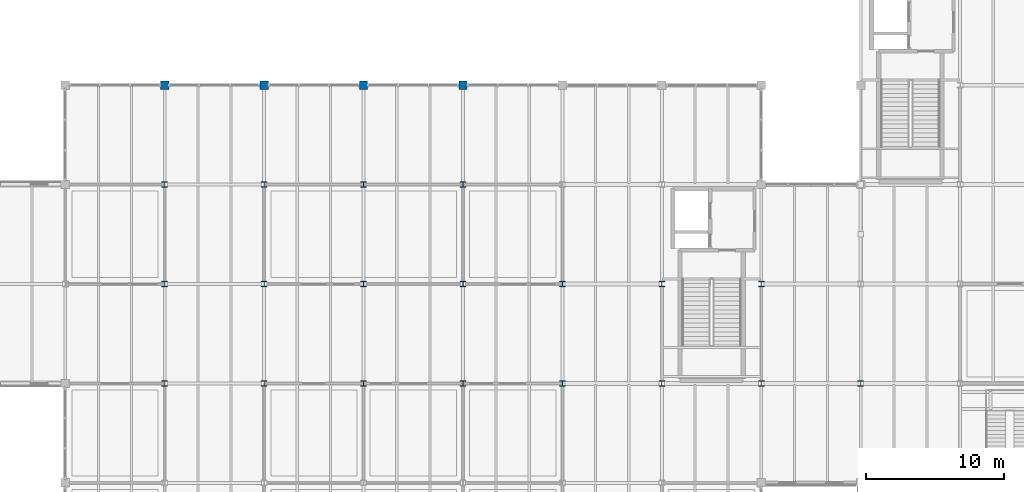
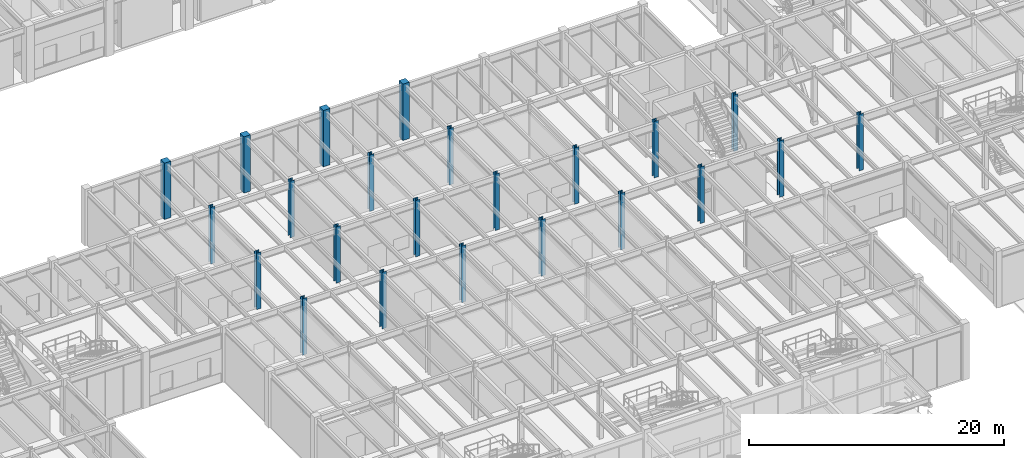
# One storey, part 7 of 97: 23 columns.
"""IFC4 building model written with IfcOpenShell, lengths in metres."""

from ifc_helpers import new_model, si_unit, direction, frame, origin, origin_2d, place, context, subcontext, project, spatial, rectangle, i_section, extrude, material, material_profile, profile_set, type_object, element, save


model = new_model("IFC4")

# Units and contexts
model_context = context("Model", 3, precision=1e-05, world=origin(), true_north=direction((0.0, 1.0)))
body_context = subcontext(model_context, "Body", "Model", "MODEL_VIEW")
ifc_project = project(units=[si_unit("LENGTHUNIT", "METRE"), si_unit("AREAUNIT", "SQUARE_METRE"), si_unit("VOLUMEUNIT", "CUBIC_METRE"), si_unit("PLANEANGLEUNIT", "RADIAN"), si_unit("MASSUNIT", "GRAM", prefix="KILO")], contexts=[model_context])

# Site, building, storey
site_placement = place(None, origin())
site = spatial("IfcSite", under=ifc_project, at=site_placement, CompositionType="ELEMENT")
building_placement = place(site_placement, origin())
building = spatial("IfcBuilding", under=site, at=building_placement, Name="Sillqori Civic Hall", CompositionType="ELEMENT")
storey_placement = place(building_placement, origin())
storey = spatial("IfcBuildingStorey", under=building, at=storey_placement, Name="L01", CompositionType="ELEMENT", Elevation=0.0)

# Columns
ifc_material_1 = material(Name="Concrete C35/45 (H35)", Category="concrete")
ifc_material_profile_1 = material_profile(ifc_material_1, rectangle(XDim=0.60009765625, YDim=0.60009765625, at=origin_2d()), Name="RC 600x600")
ifc_profile_set_1 = profile_set([ifc_material_profile_1], Name="Concrete C35/45 (H35)")
column_type_1 = type_object("IfcColumnType", Name="COL-RC600", PredefinedType="COLUMN", material=ifc_profile_set_1)
for number, where, z_axis, x_axis, name in (
    (1, (72.0, 57.60009765625, 0.0), (0.0, 0.0, 1.0), (1.0, 0.0, 0.0), "L01 column 10-8"),
    (2, (79.199951171875, 57.60009765625, 0.0), (0.0, 0.0, 1.0), (1.0, 0.0, 0.0), "L01 column 11-8"),
    (3, (86.39990234375, 57.60009765625, 0.0), (0.0, 0.0, 1.0), (1.0, 0.0, 0.0), "L01 column 12-8"),
    (4, (93.60009765625, 57.60009765625, 0.0), (0.0, 0.0, 1.0), (1.0, 0.0, 0.0), "L01 column 13-8"),
):
    element("IfcColumn", number, at=place(storey_placement, frame(where, z_axis=z_axis, x_axis=x_axis)), inside=storey, type_object=column_type_1, Name=name, PredefinedType="COLUMN", context=body_context, shape_type="SweptSolid", body=[
        extrude(rectangle(XDim=0.60009765625, YDim=0.60009765625, at=origin_2d()), origin(), (0.0, 0.0, 1.0), 5.39990234375),
    ])
ifc_material_2 = material(Name="Steel ASTM A992", Category="steel")
ifc_material_profile_2 = material_profile(ifc_material_2, i_section(OverallWidth=0.39404296875, OverallDepth=0.3759765625, WebThickness=0.017333984375, FlangeThickness=0.027587890625, FilletRadius=0.014892578125, at=origin_2d()), Name="W14X145")
ifc_profile_set_2 = profile_set([ifc_material_profile_2], Name="Steel ASTM A992")
column_type_2 = type_object("IfcColumnType", Name="COL-W14X145", PredefinedType="COLUMN", material=ifc_profile_set_2)
for number, where, z_axis, x_axis, name in (
    (5, (72.0, 36.0, 0.0), (0.0, 0.0, 1.0), (1.0, 0.0, 0.0), "L01 column 10-5"),
    (6, (72.0, 43.199951171875, 0.0), (0.0, 0.0, 1.0), (1.0, 0.0, 0.0), "L01 column 10-6"),
    (7, (72.0, 50.39990234375, 0.0), (0.0, 0.0, 1.0), (1.0, 0.0, 0.0), "L01 column 10-7"),
    (8, (79.199951171875, 36.0, 0.0), (0.0, 0.0, 1.0), (1.0, 0.0, 0.0), "L01 column 11-5"),
    (9, (79.199951171875, 43.199951171875, 0.0), (0.0, 0.0, 1.0), (1.0, 0.0, 0.0), "L01 column 11-6"),
    (10, (79.199951171875, 50.39990234375, 0.0), (0.0, 0.0, 1.0), (1.0, 0.0, 0.0), "L01 column 11-7"),
    (11, (86.39990234375, 36.0, 0.0), (0.0, 0.0, 1.0), (1.0, 0.0, 0.0), "L01 column 12-5"),
    (12, (86.39990234375, 43.199951171875, 0.0), (0.0, 0.0, 1.0), (1.0, 0.0, 0.0), "L01 column 12-6"),
    (13, (86.39990234375, 50.39990234375, 0.0), (0.0, 0.0, 1.0), (1.0, 0.0, 0.0), "L01 column 12-7"),
    (14, (93.60009765625, 36.0, 0.0), (0.0, 0.0, 1.0), (1.0, 0.0, 0.0), "L01 column 13-5"),
    (15, (93.60009765625, 43.199951171875, 0.0), (0.0, 0.0, 1.0), (1.0, 0.0, 0.0), "L01 column 13-6"),
    (16, (93.60009765625, 50.39990234375, 0.0), (0.0, 0.0, 1.0), (1.0, 0.0, 0.0), "L01 column 13-7"),
    (17, (100.800048828125, 36.0, 0.0), (0.0, 0.0, 1.0), (1.0, 0.0, 0.0), "L01 column 14-5"),
    (18, (100.800048828125, 43.199951171875, 0.0), (0.0, 0.0, 1.0), (1.0, 0.0, 0.0), "L01 column 14-6"),
    (19, (108.0, 36.0, 0.0), (0.0, 0.0, 1.0), (1.0, 0.0, 0.0), "L01 column 15-5"),
    (20, (108.0, 43.199951171875, 0.0), (0.0, 0.0, 1.0), (1.0, 0.0, 0.0), "L01 column 15-6"),
    (21, (115.199951171875, 36.0, 0.0), (0.0, 0.0, 1.0), (1.0, 0.0, 0.0), "L01 column 16-5"),
    (22, (115.199951171875, 43.199951171875, 0.0), (0.0, 0.0, 1.0), (1.0, 0.0, 0.0), "L01 column 16-6"),
    (23, (122.39990234375, 36.0, 0.0), (0.0, 0.0, 1.0), (1.0, 0.0, 0.0), "L01 column 17-5"),
):
    element("IfcColumn", number, at=place(storey_placement, frame(where, z_axis=z_axis, x_axis=x_axis)), inside=storey, type_object=column_type_2, Name=name, PredefinedType="COLUMN", context=body_context, shape_type="SweptSolid", body=[
        extrude(i_section(OverallWidth=0.39404296875, OverallDepth=0.3759765625, WebThickness=0.017333984375, FlangeThickness=0.027587890625, FilletRadius=0.014892578125, at=origin_2d()), origin(), (0.0, 0.0, 1.0), 5.39990234375),
    ])

save(model, "model.ifc")
